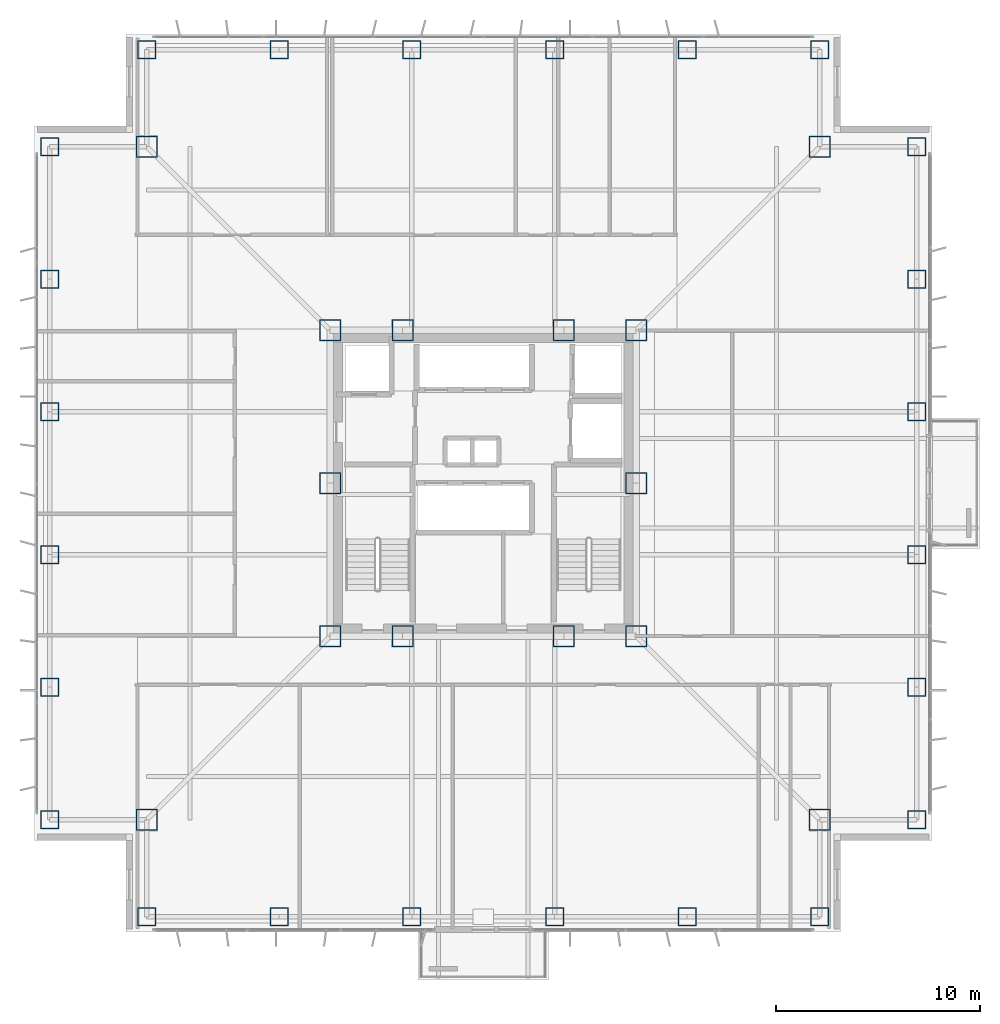
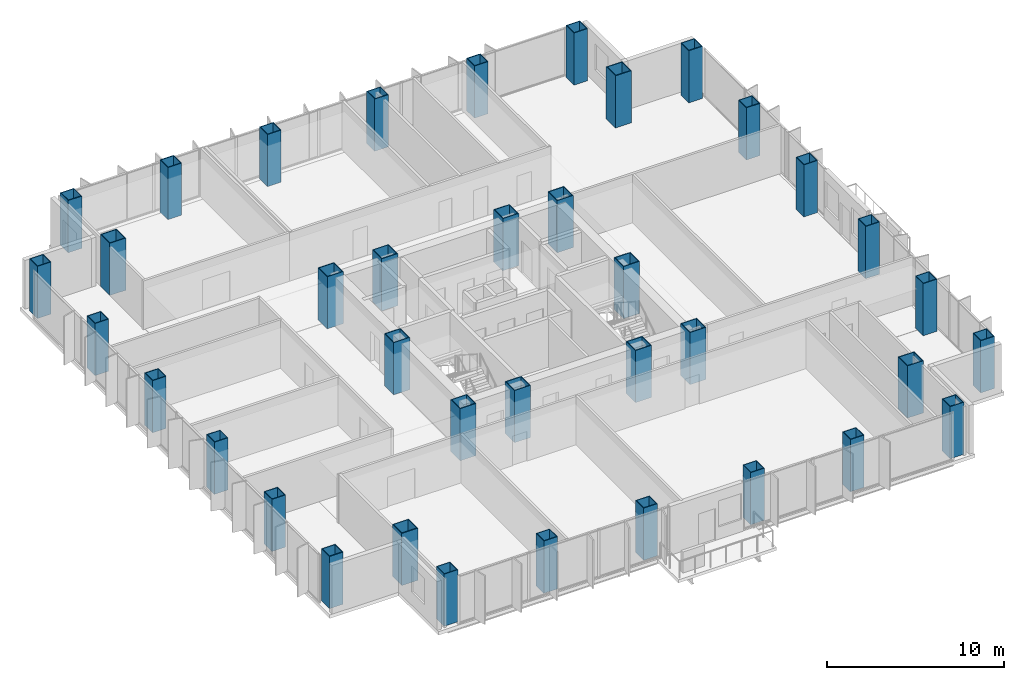
# One storey, part 1 of 18: 38 columns.
"""IFC4 building model written with IfcOpenShell, lengths in metres."""

from ifc_helpers import new_model, si_unit, direction, frame, origin, origin_2d, place, context, subcontext, project, spatial, hollow_rectangle, extrude, material, material_profile, profile_set, type_object, element, save


model = new_model("IFC4")

# Units and contexts
model_context = context("Model", 3, precision=1e-05, world=origin(), true_north=direction((0.0, 1.0)))
body_context = subcontext(model_context, "Body", "Model", "MODEL_VIEW")
ifc_project = project(units=[si_unit("LENGTHUNIT", "METRE"), si_unit("AREAUNIT", "SQUARE_METRE"), si_unit("VOLUMEUNIT", "CUBIC_METRE"), si_unit("PLANEANGLEUNIT", "RADIAN"), si_unit("MASSUNIT", "GRAM", prefix="KILO")], contexts=[model_context])

# Site, building, storey
site_placement = place(None, origin())
site = spatial("IfcSite", under=ifc_project, at=site_placement, CompositionType="ELEMENT")
building_placement = place(site_placement, origin())
building = spatial("IfcBuilding", under=site, at=building_placement, Name="Trevonay Congress Spire", CompositionType="ELEMENT")
storey_placement = place(building_placement, frame((0.0, 0.0, 104.800048828125)))
storey = spatial("IfcBuildingStorey", under=building, at=storey_placement, Name="L26", CompositionType="ELEMENT", Elevation=104.800048828125)

# Columns
ifc_material = material(Name="Steel ASTM A572 Grade 50", Category="steel")
ifc_material_profile_1 = material_profile(ifc_material, hollow_rectangle(XDim=1.050048828125, YDim=1.050048828125, WallThickness=0.050048828125, at=origin_2d()), Name="BOX 1050x1050x50")
ifc_profile_set_1 = profile_set([ifc_material_profile_1], Name="Steel ASTM A572 Grade 50")
column_type_1 = type_object("IfcColumnType", Name="COL-CORE-BOX1050", PredefinedType="COLUMN", material=ifc_profile_set_1)
for number, where, z_axis, x_axis, name in (
    (1, (-7.5, -7.5, 0.0), (0.0, 0.0, 1.0), (1.0, 0.0, 0.0), "L26 column C03 at CC-SW"),
    (2, (-3.949951171875, -7.5, 0.0), (0.0, 0.0, 1.0), (1.0, 0.0, 0.0), "L26 column C03 at CC-SMW"),
    (3, (3.949951171875, -7.5, 0.0), (0.0, 0.0, 1.0), (1.0, 0.0, 0.0), "L26 column C03 at CC-SME"),
    (4, (7.5, -7.5, 0.0), (0.0, 0.0, 1.0), (1.0, 0.0, 0.0), "L26 column C03 at CC-SE"),
    (5, (7.5, 0.0, 0.0), (0.0, 0.0, 1.0), (1.0, 0.0, 0.0), "L26 column C03 at CC-E"),
    (6, (7.5, 7.5, 0.0), (0.0, 0.0, 1.0), (1.0, 0.0, 0.0), "L26 column C03 at CC-NE"),
    (7, (3.949951171875, 7.5, 0.0), (0.0, 0.0, 1.0), (1.0, 0.0, 0.0), "L26 column C03 at CC-NME"),
    (8, (-3.949951171875, 7.5, 0.0), (0.0, 0.0, 1.0), (1.0, 0.0, 0.0), "L26 column C03 at CC-NMW"),
    (9, (-7.5, 7.5, 0.0), (0.0, 0.0, 1.0), (1.0, 0.0, 0.0), "L26 column C03 at CC-NW"),
    (10, (-7.5, 0.0, 0.0), (0.0, 0.0, 1.0), (1.0, 0.0, 0.0), "L26 column C03 at CC-W"),
):
    element("IfcColumn", number, at=place(storey_placement, frame(where, z_axis=z_axis, x_axis=x_axis)), inside=storey, type_object=column_type_1, Name=name, PredefinedType="COLUMN", context=body_context, shape_type="SweptSolid", body=[
        extrude(hollow_rectangle(XDim=1.050048828125, YDim=1.050048828125, WallThickness=0.050048828125, at=origin_2d()), origin(), (0.0, 0.0, 1.0), 3.599853515625),
    ])
ifc_material_profile_2 = material_profile(ifc_material, hollow_rectangle(XDim=1.050048828125, YDim=1.050048828125, WallThickness=0.050048828125, at=origin_2d()), Name="BOX 1050x1050x50")
ifc_profile_set_2 = profile_set([ifc_material_profile_2], Name="Steel ASTM A572 Grade 50")
column_type_2 = type_object("IfcColumnType", Name="COL-TUBE-BOX1050", PredefinedType="COLUMN", material=ifc_profile_set_2)
for number, where, z_axis, x_axis, name in (
    (11, (-16.5, -16.5, 0.0), (0.0, 0.0, 1.0), (1.0, 0.0, 0.0), "L26 column C14 at NC-SW"),
    (12, (16.5, -16.5, 0.0), (0.0, 0.0, 1.0), (1.0, 0.0, 0.0), "L26 column C14 at NC-SE"),
    (13, (16.5, 16.5, 0.0), (0.0, 0.0, 1.0), (1.0, 0.0, 0.0), "L26 column C14 at NC-NE"),
    (14, (-16.5, 16.5, 0.0), (0.0, 0.0, 1.0), (1.0, 0.0, 0.0), "L26 column C14 at NC-NW"),
):
    element("IfcColumn", number, at=place(storey_placement, frame(where, z_axis=z_axis, x_axis=x_axis)), inside=storey, type_object=column_type_2, Name=name, PredefinedType="COLUMN", context=body_context, shape_type="SweptSolid", body=[
        extrude(hollow_rectangle(XDim=1.050048828125, YDim=1.050048828125, WallThickness=0.050048828125, at=origin_2d()), origin(), (0.0, 0.0, 1.0), 3.599853515625),
    ])
ifc_material_profile_3 = material_profile(ifc_material, hollow_rectangle(XDim=0.89990234375, YDim=0.89990234375, WallThickness=0.044921875, at=origin_2d()), Name="BOX 900x900x45")
ifc_profile_set_3 = profile_set([ifc_material_profile_3], Name="Steel ASTM A572 Grade 50")
column_type_3 = type_object("IfcColumnType", Name="COL-TUBE-BOX900", PredefinedType="COLUMN", material=ifc_profile_set_3)
for number, where, z_axis, x_axis, name in (
    (15, (-16.5, -21.25, 0.0), (0.0, 0.0, 1.0), (1.0, 0.0, 0.0), "L26 column C15 at TS-1"),
    (16, (-16.5, 21.25, 0.0), (0.0, 0.0, 1.0), (1.0, 0.0, 0.0), "L26 column C15 at TN-1"),
    (17, (-21.25, -16.5, 0.0), (0.0, 0.0, 1.0), (1.0, 0.0, 0.0), "L26 column C15 at TW-1"),
    (18, (21.25, -16.5, 0.0), (0.0, 0.0, 1.0), (1.0, 0.0, 0.0), "L26 column C15 at TE-1"),
    (19, (-10.0, -21.25, 0.0), (0.0, 0.0, 1.0), (1.0, 0.0, 0.0), "L26 column C15 at TS-2"),
    (20, (-10.0, 21.25, 0.0), (0.0, 0.0, 1.0), (1.0, 0.0, 0.0), "L26 column C15 at TN-2"),
    (21, (-21.25, -10.0, 0.0), (0.0, 0.0, 1.0), (1.0, 0.0, 0.0), "L26 column C15 at TW-2"),
    (22, (21.25, -10.0, 0.0), (0.0, 0.0, 1.0), (1.0, 0.0, 0.0), "L26 column C15 at TE-2"),
    (23, (-3.5, -21.25, 0.0), (0.0, 0.0, 1.0), (1.0, 0.0, 0.0), "L26 column C15 at TS-3"),
    (24, (-3.5, 21.25, 0.0), (0.0, 0.0, 1.0), (1.0, 0.0, 0.0), "L26 column C15 at TN-3"),
    (25, (-21.25, -3.5, 0.0), (0.0, 0.0, 1.0), (1.0, 0.0, 0.0), "L26 column C15 at TW-3"),
    (26, (21.25, -3.5, 0.0), (0.0, 0.0, 1.0), (1.0, 0.0, 0.0), "L26 column C15 at TE-3"),
    (27, (3.5, -21.25, 0.0), (0.0, 0.0, 1.0), (1.0, 0.0, 0.0), "L26 column C15 at TS-4"),
    (28, (3.5, 21.25, 0.0), (0.0, 0.0, 1.0), (1.0, 0.0, 0.0), "L26 column C15 at TN-4"),
    (29, (-21.25, 3.5, 0.0), (0.0, 0.0, 1.0), (1.0, 0.0, 0.0), "L26 column C15 at TW-4"),
    (30, (21.25, 3.5, 0.0), (0.0, 0.0, 1.0), (1.0, 0.0, 0.0), "L26 column C15 at TE-4"),
    (31, (10.0, -21.25, 0.0), (0.0, 0.0, 1.0), (1.0, 0.0, 0.0), "L26 column C15 at TS-5"),
    (32, (10.0, 21.25, 0.0), (0.0, 0.0, 1.0), (1.0, 0.0, 0.0), "L26 column C15 at TN-5"),
    (33, (-21.25, 10.0, 0.0), (0.0, 0.0, 1.0), (1.0, 0.0, 0.0), "L26 column C15 at TW-5"),
    (34, (21.25, 10.0, 0.0), (0.0, 0.0, 1.0), (1.0, 0.0, 0.0), "L26 column C15 at TE-5"),
    (35, (16.5, -21.25, 0.0), (0.0, 0.0, 1.0), (1.0, 0.0, 0.0), "L26 column C15 at TS-6"),
    (36, (16.5, 21.25, 0.0), (0.0, 0.0, 1.0), (1.0, 0.0, 0.0), "L26 column C15 at TN-6"),
    (37, (-21.25, 16.5, 0.0), (0.0, 0.0, 1.0), (1.0, 0.0, 0.0), "L26 column C15 at TW-6"),
    (38, (21.25, 16.5, 0.0), (0.0, 0.0, 1.0), (1.0, 0.0, 0.0), "L26 column C15 at TE-6"),
):
    element("IfcColumn", number, at=place(storey_placement, frame(where, z_axis=z_axis, x_axis=x_axis)), inside=storey, type_object=column_type_3, Name=name, PredefinedType="COLUMN", context=body_context, shape_type="SweptSolid", body=[
        extrude(hollow_rectangle(XDim=0.89990234375, YDim=0.89990234375, WallThickness=0.044921875, at=origin_2d()), origin(), (0.0, 0.0, 1.0), 3.599853515625),
    ])

save(model, "model.ifc")
